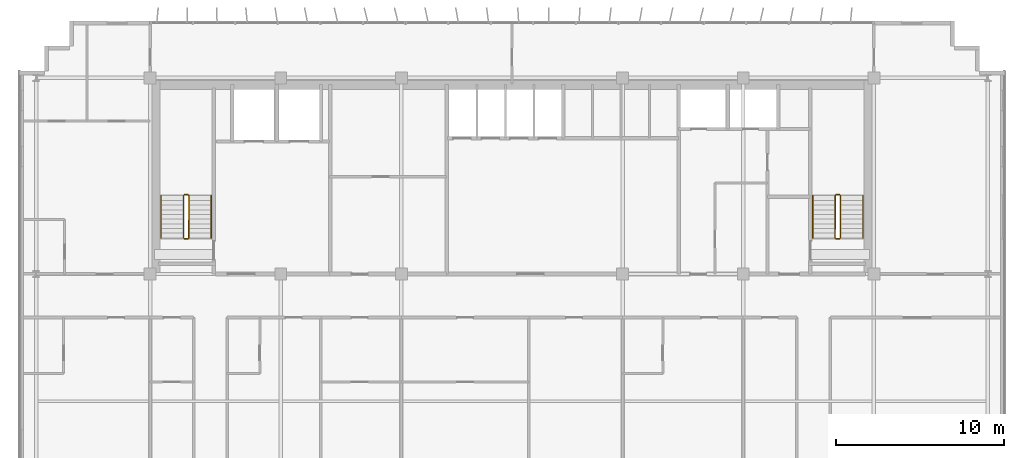
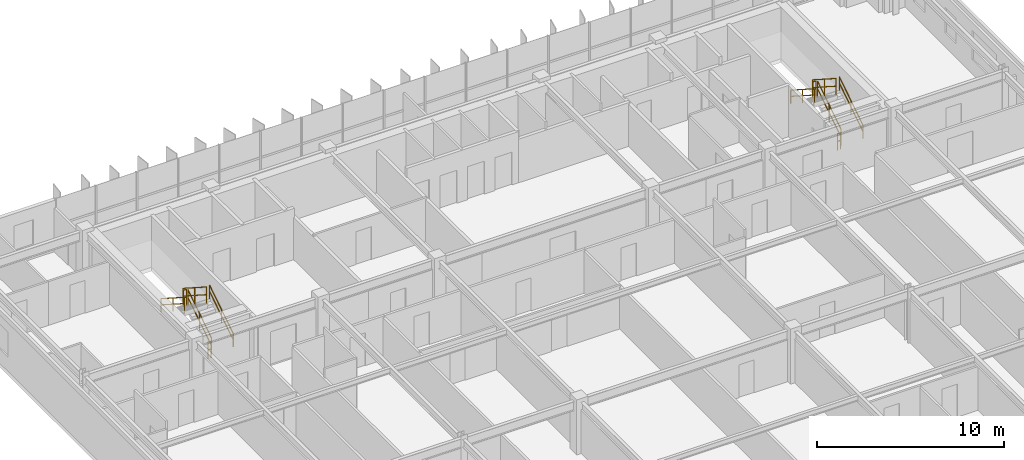
# One storey, part 24 of 24: 12 railings.
"""IFC4 building model written with IfcOpenShell, lengths in metres."""

from ifc_helpers import new_model, si_unit, direction, frame, origin, origin_2d, place, context, subcontext, project, spatial, rectangle, extrude, material, type_object, element, save


model = new_model("IFC4")

# Units and contexts
model_context = context("Model", 3, precision=1e-05, world=origin(), true_north=direction((0.0, 1.0)))
body_context = subcontext(model_context, "Body", "Model", "MODEL_VIEW")
ifc_project = project(units=[si_unit("LENGTHUNIT", "METRE"), si_unit("AREAUNIT", "SQUARE_METRE"), si_unit("VOLUMEUNIT", "CUBIC_METRE"), si_unit("PLANEANGLEUNIT", "RADIAN"), si_unit("MASSUNIT", "GRAM", prefix="KILO")], contexts=[model_context])

# Site, building, storey
site_placement = place(None, origin())
site = spatial("IfcSite", under=ifc_project, at=site_placement, CompositionType="ELEMENT")
building_placement = place(site_placement, origin())
building = spatial("IfcBuilding", under=site, at=building_placement, Name="Trelvane Seafront Commons", CompositionType="ELEMENT")
storey_placement = place(building_placement, frame((0.0, 0.0, 175.300048828125)))
storey = spatial("IfcBuildingStorey", under=building, at=storey_placement, Name="L46", CompositionType="ELEMENT", Elevation=175.300048828125)

# Railings
ifc_material = material(Name="Stainless steel balustrade", Category="steel")
railing_type_1 = type_object("IfcRailingType", Name="ARCH-SRL-GUARD", PredefinedType="GUARDRAIL", material=ifc_material)
railing_1_placement = place(storey_placement, frame((17.89990234375, 35.550048828125, 0.179931640625)))
element("IfcRailing", 1, at=railing_1_placement, inside=storey, type_object=railing_type_1, Name="L46 ST-1 stair guard 1", PredefinedType="GUARDRAIL", context=body_context, shape_type="SweptSolid", body=[
    extrude(rectangle(XDim=0.048095703125, YDim=0.048095703125, at=origin_2d()), frame((0.0, 0.0, 1.076171875), z_axis=(0.0, 0.841162588446, 0.540782303519), x_axis=(-1.0, 0.0, 0.0)), (0.0, 0.0, 1.0), 2.995849609375),
    extrude(rectangle(XDim=0.048095703125, YDim=0.048095703125, at=origin_2d()), frame((0.0, 0.0, 0.572021484375), z_axis=(0.0, 0.841162588446, 0.540782303519), x_axis=(-1.0, 0.0, 0.0)), (0.0, 0.0, 1.0), 2.995849609375),
    extrude(rectangle(XDim=0.0419921875, YDim=0.0419921875, at=origin_2d()), origin(), (0.0, 0.0, 1.0), 1.076171875),
    extrude(rectangle(XDim=0.0419921875, YDim=0.0419921875, at=origin_2d()), frame((0.0, 1.260009765625, 0.81005859375)), (0.0, 0.0, 1.0), 1.076171875),
    extrude(rectangle(XDim=0.0419921875, YDim=0.0419921875, at=origin_2d()), frame((0.0, 2.52001953125, 1.6201171875)), (0.0, 0.0, 1.0), 1.076171875),
])
railing_2_placement = place(storey_placement, frame((17.85009765625, 38.1201171875, 1.800048828125)))
element("IfcRailing", 2, at=railing_2_placement, inside=storey, type_object=railing_type_1, Name="L46 ST-1 stair guard 2", PredefinedType="GUARDRAIL", context=body_context, shape_type="SweptSolid", body=[
    extrude(rectangle(XDim=0.048095703125, YDim=0.048095703125, at=origin_2d()), frame((0.0, 0.0, 1.076171875), z_axis=(-1.0, 0.0, 0.0), x_axis=(0.0, -1.0, 0.0)), (0.0, 0.0, 1.0), 0.2001953125),
    extrude(rectangle(XDim=0.048095703125, YDim=0.048095703125, at=origin_2d()), frame((0.0, 0.0, 0.572021484375), z_axis=(-1.0, 0.0, 0.0), x_axis=(0.0, -1.0, 0.0)), (0.0, 0.0, 1.0), 0.2001953125),
    extrude(rectangle(XDim=0.0419921875, YDim=0.0419921875, at=origin_2d()), origin(), (0.0, 0.0, 1.0), 1.076171875),
    extrude(rectangle(XDim=0.0419921875, YDim=0.0419921875, at=origin_2d()), frame((-0.2001953125, 0.0, 0.0)), (0.0, 0.0, 1.0), 1.076171875),
])
railing_3_placement = place(storey_placement, frame((17.60009765625, 38.070068359375, 1.97998046875)))
element("IfcRailing", 3, at=railing_3_placement, inside=storey, type_object=railing_type_1, Name="L46 ST-1 stair guard 3", PredefinedType="GUARDRAIL", context=body_context, shape_type="SweptSolid", body=[
    extrude(rectangle(XDim=0.048095703125, YDim=0.048095703125, at=origin_2d()), frame((0.0, 0.0, 1.076171875), z_axis=(0.0, -0.841199657755, 0.540724639528), x_axis=(1.0, 0.0, 0.0)), (0.0, 0.0, 1.0), 2.995849609375),
    extrude(rectangle(XDim=0.048095703125, YDim=0.048095703125, at=origin_2d()), frame((0.0, 0.0, 0.572021484375), z_axis=(0.0, -0.841199657755, 0.540724639528), x_axis=(1.0, 0.0, 0.0)), (0.0, 0.0, 1.0), 2.995849609375),
    extrude(rectangle(XDim=0.0419921875, YDim=0.0419921875, at=origin_2d()), origin(), (0.0, 0.0, 1.0), 1.076171875),
    extrude(rectangle(XDim=0.0419921875, YDim=0.0419921875, at=origin_2d()), frame((0.0, -1.260009765625, 0.81005859375)), (0.0, 0.0, 1.0), 1.076171875),
    extrude(rectangle(XDim=0.0419921875, YDim=0.0419921875, at=origin_2d()), frame((0.0, -2.52001953125, 1.619873046875)), (0.0, 0.0, 1.0), 1.076171875),
])
railing_4_placement = place(storey_placement, frame((17.85009765625, 35.5, 0.0)))
element("IfcRailing", 4, at=railing_4_placement, inside=storey, type_object=railing_type_1, Name="L46 ST-1 stair guard 4", PredefinedType="GUARDRAIL", context=body_context, shape_type="SweptSolid", body=[
    extrude(rectangle(XDim=0.048095703125, YDim=0.048095703125, at=origin_2d()), frame((0.0, 0.0, 1.076171875), z_axis=(-1.0, 0.0, 0.0), x_axis=(0.0, -1.0, 0.0)), (0.0, 0.0, 1.0), 0.2001953125),
    extrude(rectangle(XDim=0.048095703125, YDim=0.048095703125, at=origin_2d()), frame((0.0, 0.0, 0.572021484375), z_axis=(-1.0, 0.0, 0.0), x_axis=(0.0, -1.0, 0.0)), (0.0, 0.0, 1.0), 0.2001953125),
    extrude(rectangle(XDim=0.0419921875, YDim=0.0419921875, at=origin_2d()), origin(), (0.0, 0.0, 1.0), 1.076171875),
    extrude(rectangle(XDim=0.0419921875, YDim=0.0419921875, at=origin_2d()), frame((-0.2001953125, 0.0, 0.0)), (0.0, 0.0, 1.0), 1.076171875),
])
railing_5_placement = place(storey_placement, frame((56.800048828125, 35.550048828125, 0.179931640625)))
element("IfcRailing", 5, at=railing_5_placement, inside=storey, type_object=railing_type_1, Name="L46 ST-2 stair guard 1", PredefinedType="GUARDRAIL", context=body_context, shape_type="SweptSolid", body=[
    extrude(rectangle(XDim=0.048095703125, YDim=0.048095703125, at=origin_2d()), frame((0.0, 0.0, 1.076171875), z_axis=(0.0, 0.841162588446, 0.540782303519), x_axis=(-1.0, 0.0, 0.0)), (0.0, 0.0, 1.0), 2.995849609375),
    extrude(rectangle(XDim=0.048095703125, YDim=0.048095703125, at=origin_2d()), frame((0.0, 0.0, 0.572021484375), z_axis=(0.0, 0.841162588446, 0.540782303519), x_axis=(-1.0, 0.0, 0.0)), (0.0, 0.0, 1.0), 2.995849609375),
    extrude(rectangle(XDim=0.0419921875, YDim=0.0419921875, at=origin_2d()), origin(), (0.0, 0.0, 1.0), 1.076171875),
    extrude(rectangle(XDim=0.0419921875, YDim=0.0419921875, at=origin_2d()), frame((0.0, 1.260009765625, 0.81005859375)), (0.0, 0.0, 1.0), 1.076171875),
    extrude(rectangle(XDim=0.0419921875, YDim=0.0419921875, at=origin_2d()), frame((0.0, 2.52001953125, 1.6201171875)), (0.0, 0.0, 1.0), 1.076171875),
])
railing_6_placement = place(storey_placement, frame((56.75, 38.1201171875, 1.800048828125)))
element("IfcRailing", 6, at=railing_6_placement, inside=storey, type_object=railing_type_1, Name="L46 ST-2 stair guard 2", PredefinedType="GUARDRAIL", context=body_context, shape_type="SweptSolid", body=[
    extrude(rectangle(XDim=0.048095703125, YDim=0.048095703125, at=origin_2d()), frame((0.0, 0.0, 1.076171875), z_axis=(-1.0, 0.0, 0.0), x_axis=(0.0, -1.0, 0.0)), (0.0, 0.0, 1.0), 0.199951171875),
    extrude(rectangle(XDim=0.048095703125, YDim=0.048095703125, at=origin_2d()), frame((0.0, 0.0, 0.572021484375), z_axis=(-1.0, 0.0, 0.0), x_axis=(0.0, -1.0, 0.0)), (0.0, 0.0, 1.0), 0.199951171875),
    extrude(rectangle(XDim=0.0419921875, YDim=0.0419921875, at=origin_2d()), origin(), (0.0, 0.0, 1.0), 1.076171875),
    extrude(rectangle(XDim=0.0419921875, YDim=0.0419921875, at=origin_2d()), frame((-0.199951171875, 0.0, 0.0)), (0.0, 0.0, 1.0), 1.076171875),
])
railing_7_placement = place(storey_placement, frame((56.5, 38.070068359375, 1.97998046875)))
element("IfcRailing", 7, at=railing_7_placement, inside=storey, type_object=railing_type_1, Name="L46 ST-2 stair guard 3", PredefinedType="GUARDRAIL", context=body_context, shape_type="SweptSolid", body=[
    extrude(rectangle(XDim=0.048095703125, YDim=0.048095703125, at=origin_2d()), frame((0.0, 0.0, 1.076171875), z_axis=(0.0, -0.841199657755, 0.540724639528), x_axis=(1.0, 0.0, 0.0)), (0.0, 0.0, 1.0), 2.995849609375),
    extrude(rectangle(XDim=0.048095703125, YDim=0.048095703125, at=origin_2d()), frame((0.0, 0.0, 0.572021484375), z_axis=(0.0, -0.841199657755, 0.540724639528), x_axis=(1.0, 0.0, 0.0)), (0.0, 0.0, 1.0), 2.995849609375),
    extrude(rectangle(XDim=0.0419921875, YDim=0.0419921875, at=origin_2d()), origin(), (0.0, 0.0, 1.0), 1.076171875),
    extrude(rectangle(XDim=0.0419921875, YDim=0.0419921875, at=origin_2d()), frame((0.0, -1.260009765625, 0.81005859375)), (0.0, 0.0, 1.0), 1.076171875),
    extrude(rectangle(XDim=0.0419921875, YDim=0.0419921875, at=origin_2d()), frame((0.0, -2.52001953125, 1.619873046875)), (0.0, 0.0, 1.0), 1.076171875),
])
railing_8_placement = place(storey_placement, frame((56.75, 35.5, 0.0)))
element("IfcRailing", 8, at=railing_8_placement, inside=storey, type_object=railing_type_1, Name="L46 ST-2 stair guard 4", PredefinedType="GUARDRAIL", context=body_context, shape_type="SweptSolid", body=[
    extrude(rectangle(XDim=0.048095703125, YDim=0.048095703125, at=origin_2d()), frame((0.0, 0.0, 1.076171875), z_axis=(-1.0, 0.0, 0.0), x_axis=(0.0, -1.0, 0.0)), (0.0, 0.0, 1.0), 0.199951171875),
    extrude(rectangle(XDim=0.048095703125, YDim=0.048095703125, at=origin_2d()), frame((0.0, 0.0, 0.572021484375), z_axis=(-1.0, 0.0, 0.0), x_axis=(0.0, -1.0, 0.0)), (0.0, 0.0, 1.0), 0.199951171875),
    extrude(rectangle(XDim=0.0419921875, YDim=0.0419921875, at=origin_2d()), origin(), (0.0, 0.0, 1.0), 1.076171875),
    extrude(rectangle(XDim=0.0419921875, YDim=0.0419921875, at=origin_2d()), frame((-0.199951171875, 0.0, 0.0)), (0.0, 0.0, 1.0), 1.076171875),
])
railing_type_2 = type_object("IfcRailingType", Name="ARCH-SRL-HAND", PredefinedType="HANDRAIL", material=ifc_material)
railing_9_placement = place(storey_placement, frame((19.25, 35.550048828125, 0.179931640625)))
element("IfcRailing", 9, at=railing_9_placement, inside=storey, type_object=railing_type_2, Name="L46 ST-1 stair handrail 1", PredefinedType="HANDRAIL", context=body_context, shape_type="SweptSolid", body=[
    extrude(rectangle(XDim=0.048095703125, YDim=0.048095703125, at=origin_2d()), frame((0.0, 0.0, 0.8759765625), z_axis=(0.0, 0.841162588446, 0.540782303519), x_axis=(-1.0, 0.0, 0.0)), (0.0, 0.0, 1.0), 2.995849609375),
    extrude(rectangle(XDim=0.048095703125, YDim=0.048095703125, at=origin_2d()), frame((0.0, 0.0, 0.468017578125), z_axis=(0.0, 0.841162588446, 0.540782303519), x_axis=(-1.0, 0.0, 0.0)), (0.0, 0.0, 1.0), 2.995849609375),
    extrude(rectangle(XDim=0.0419921875, YDim=0.0419921875, at=origin_2d()), origin(), (0.0, 0.0, 1.0), 0.8759765625),
    extrude(rectangle(XDim=0.0419921875, YDim=0.0419921875, at=origin_2d()), frame((0.0, 1.260009765625, 0.81005859375)), (0.0, 0.0, 1.0), 0.8759765625),
    extrude(rectangle(XDim=0.0419921875, YDim=0.0419921875, at=origin_2d()), frame((0.0, 2.52001953125, 1.6201171875)), (0.0, 0.0, 1.0), 0.8759765625),
])
railing_10_placement = place(storey_placement, frame((16.25, 38.070068359375, 1.97998046875)))
element("IfcRailing", 10, at=railing_10_placement, inside=storey, type_object=railing_type_2, Name="L46 ST-1 stair handrail 2", PredefinedType="HANDRAIL", context=body_context, shape_type="SweptSolid", body=[
    extrude(rectangle(XDim=0.048095703125, YDim=0.048095703125, at=origin_2d()), frame((0.0, 0.0, 0.8759765625), z_axis=(0.0, -0.841199657755, 0.540724639528), x_axis=(1.0, 0.0, 0.0)), (0.0, 0.0, 1.0), 2.995849609375),
    extrude(rectangle(XDim=0.048095703125, YDim=0.048095703125, at=origin_2d()), frame((0.0, 0.0, 0.468017578125), z_axis=(0.0, -0.841199657755, 0.540724639528), x_axis=(1.0, 0.0, 0.0)), (0.0, 0.0, 1.0), 2.995849609375),
    extrude(rectangle(XDim=0.0419921875, YDim=0.0419921875, at=origin_2d()), origin(), (0.0, 0.0, 1.0), 0.8759765625),
    extrude(rectangle(XDim=0.0419921875, YDim=0.0419921875, at=origin_2d()), frame((0.0, -1.260009765625, 0.81005859375)), (0.0, 0.0, 1.0), 0.8759765625),
    extrude(rectangle(XDim=0.0419921875, YDim=0.0419921875, at=origin_2d()), frame((0.0, -2.52001953125, 1.619873046875)), (0.0, 0.0, 1.0), 0.8759765625),
])
railing_11_placement = place(storey_placement, frame((58.14990234375, 35.550048828125, 0.179931640625)))
element("IfcRailing", 11, at=railing_11_placement, inside=storey, type_object=railing_type_2, Name="L46 ST-2 stair handrail 1", PredefinedType="HANDRAIL", context=body_context, shape_type="SweptSolid", body=[
    extrude(rectangle(XDim=0.048095703125, YDim=0.048095703125, at=origin_2d()), frame((0.0, 0.0, 0.8759765625), z_axis=(0.0, 0.841162588446, 0.540782303519), x_axis=(-1.0, 0.0, 0.0)), (0.0, 0.0, 1.0), 2.995849609375),
    extrude(rectangle(XDim=0.048095703125, YDim=0.048095703125, at=origin_2d()), frame((0.0, 0.0, 0.468017578125), z_axis=(0.0, 0.841162588446, 0.540782303519), x_axis=(-1.0, 0.0, 0.0)), (0.0, 0.0, 1.0), 2.995849609375),
    extrude(rectangle(XDim=0.0419921875, YDim=0.0419921875, at=origin_2d()), origin(), (0.0, 0.0, 1.0), 0.8759765625),
    extrude(rectangle(XDim=0.0419921875, YDim=0.0419921875, at=origin_2d()), frame((0.0, 1.260009765625, 0.81005859375)), (0.0, 0.0, 1.0), 0.8759765625),
    extrude(rectangle(XDim=0.0419921875, YDim=0.0419921875, at=origin_2d()), frame((0.0, 2.52001953125, 1.6201171875)), (0.0, 0.0, 1.0), 0.8759765625),
])
railing_12_placement = place(storey_placement, frame((55.14990234375, 38.070068359375, 1.97998046875)))
element("IfcRailing", 12, at=railing_12_placement, inside=storey, type_object=railing_type_2, Name="L46 ST-2 stair handrail 2", PredefinedType="HANDRAIL", context=body_context, shape_type="SweptSolid", body=[
    extrude(rectangle(XDim=0.048095703125, YDim=0.048095703125, at=origin_2d()), frame((0.0, 0.0, 0.8759765625), z_axis=(0.0, -0.841199657755, 0.540724639528), x_axis=(1.0, 0.0, 0.0)), (0.0, 0.0, 1.0), 2.995849609375),
    extrude(rectangle(XDim=0.048095703125, YDim=0.048095703125, at=origin_2d()), frame((0.0, 0.0, 0.468017578125), z_axis=(0.0, -0.841199657755, 0.540724639528), x_axis=(1.0, 0.0, 0.0)), (0.0, 0.0, 1.0), 2.995849609375),
    extrude(rectangle(XDim=0.0419921875, YDim=0.0419921875, at=origin_2d()), origin(), (0.0, 0.0, 1.0), 0.8759765625),
    extrude(rectangle(XDim=0.0419921875, YDim=0.0419921875, at=origin_2d()), frame((0.0, -1.260009765625, 0.81005859375)), (0.0, 0.0, 1.0), 0.8759765625),
    extrude(rectangle(XDim=0.0419921875, YDim=0.0419921875, at=origin_2d()), frame((0.0, -2.52001953125, 1.619873046875)), (0.0, 0.0, 1.0), 0.8759765625),
])

save(model, "model.ifc")
